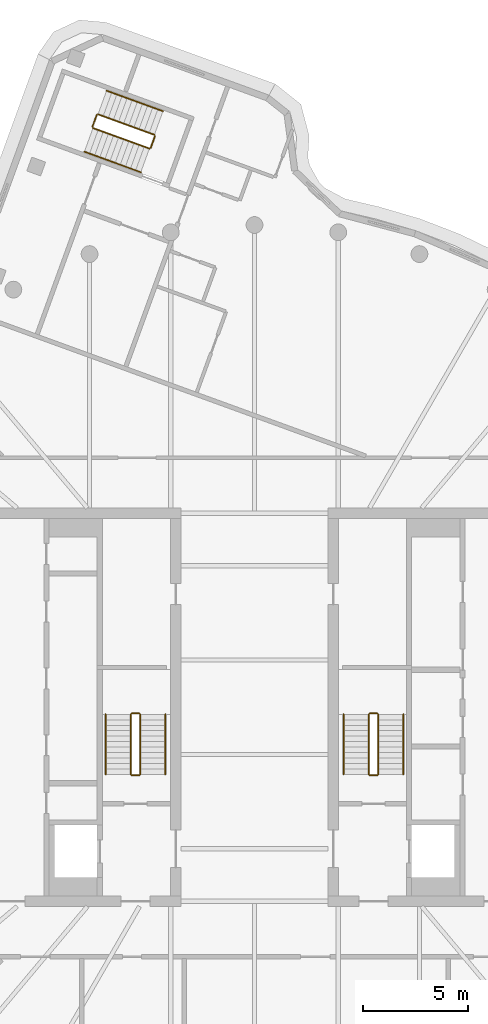
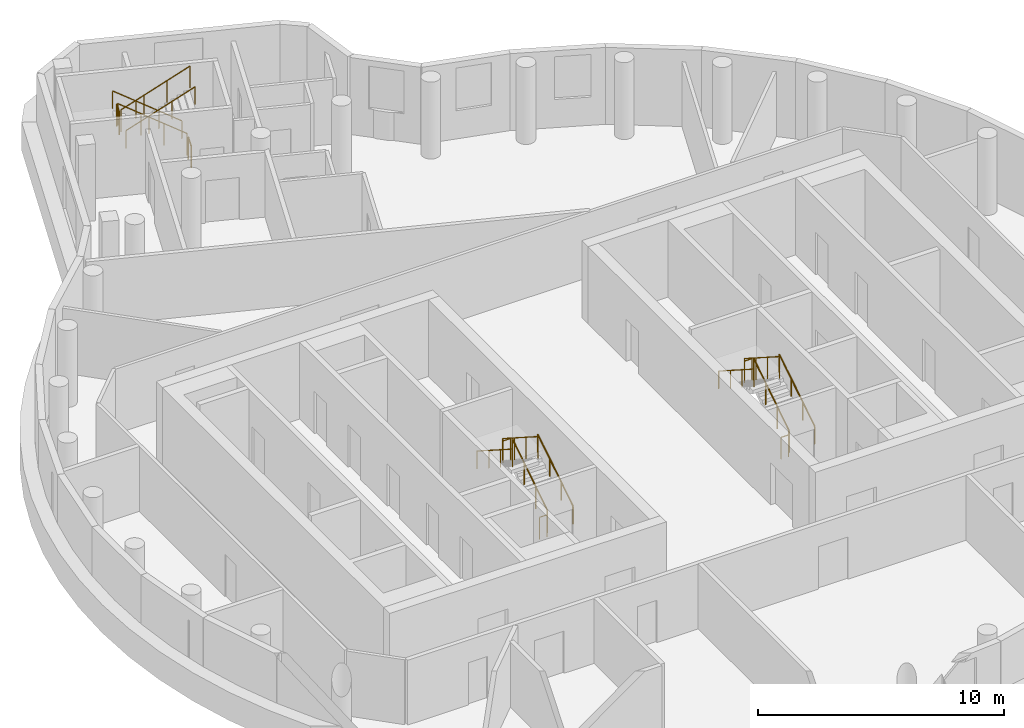
# One storey, part 7 of 7: 18 railings.
"""IFC4 building model written with IfcOpenShell, lengths in metres."""

from ifc_helpers import new_model, si_unit, direction, frame, origin, origin_2d, place, context, subcontext, project, spatial, circle, extrude, material, type_object, element, save


model = new_model("IFC4")

# Units and contexts
model_context = context("Model", 3, precision=1e-05, world=origin(), true_north=direction((0.0, 1.0)))
body_context = subcontext(model_context, "Body", "Model", "MODEL_VIEW")
ifc_project = project(units=[si_unit("LENGTHUNIT", "METRE"), si_unit("AREAUNIT", "SQUARE_METRE"), si_unit("VOLUMEUNIT", "CUBIC_METRE"), si_unit("PLANEANGLEUNIT", "RADIAN"), si_unit("MASSUNIT", "GRAM", prefix="KILO")], contexts=[model_context])

# Site, building, storey
site_placement = place(None, origin())
site = spatial("IfcSite", under=ifc_project, at=site_placement, CompositionType="ELEMENT")
building_placement = place(site_placement, origin())
building = spatial("IfcBuilding", under=site, at=building_placement, Name="Tamarind Cross Interchange Tower", CompositionType="ELEMENT")
storey_placement = place(building_placement, frame((0.0, 0.0, 317.39990234375)))
storey = spatial("IfcBuildingStorey", under=building, at=storey_placement, Name="L78", CompositionType="ELEMENT", Elevation=317.39990234375)

# Railings
ifc_material_1 = material(Name="Stair guard")
railing_type_1 = type_object("IfcRailingType", Name="Stair guard", PredefinedType="GUARDRAIL", material=ifc_material_1)
railing_1_placement = place(storey_placement, frame((-5.449951171875, -3.199951171875, 0.166748046875)))
element("IfcRailing", 1, at=railing_1_placement, inside=storey, type_object=railing_type_1, Name="L78 ST1 stair guard 1", PredefinedType="GUARDRAIL", context=body_context, shape_type="SweptSolid", body=[
    extrude(circle(Radius=0.02392578125, at=origin_2d()), frame((0.0, 0.0, 1.076171875), z_axis=(0.0, 0.841878301714, 0.539667420827), x_axis=(-1.0, 0.0, 0.0)), (0.0, 0.0, 1.0), 3.39697265625),
    extrude(circle(Radius=0.02099609375, at=origin_2d()), origin(), (0.0, 0.0, 1.0), 1.052001953125),
    extrude(circle(Radius=0.02099609375, at=origin_2d()), frame((0.0, 0.953369140625, 0.611083984375)), (0.0, 0.0, 1.0), 1.052001953125),
    extrude(circle(Radius=0.02099609375, at=origin_2d()), frame((0.0, 1.906494140625, 1.22216796875)), (0.0, 0.0, 1.0), 1.052001953125),
    extrude(circle(Radius=0.02099609375, at=origin_2d()), frame((0.0, 2.85986328125, 1.833251953125)), (0.0, 0.0, 1.0), 1.052001953125),
])
railing_2_placement = place(storey_placement, frame((-5.5, -0.2900390625, 2.0)))
element("IfcRailing", 2, at=railing_2_placement, inside=storey, type_object=railing_type_1, Name="L78 ST1 stair guard 2", PredefinedType="GUARDRAIL", context=body_context, shape_type="SweptSolid", body=[
    extrude(circle(Radius=0.02392578125, at=origin_2d()), frame((0.0, 0.0, 1.076171875), z_axis=(-1.0, 0.0, 0.0), x_axis=(0.0, -1.0, 0.0)), (0.0, 0.0, 1.0), 0.35009765625),
    extrude(circle(Radius=0.02099609375, at=origin_2d()), origin(), (0.0, 0.0, 1.0), 1.052001953125),
    extrude(circle(Radius=0.02099609375, at=origin_2d()), frame((-0.35009765625, 0.0, 0.0)), (0.0, 0.0, 1.0), 1.052001953125),
])
railing_3_placement = place(storey_placement, frame((-5.89990234375, -0.340087890625, 2.166748046875)))
element("IfcRailing", 3, at=railing_3_placement, inside=storey, type_object=railing_type_1, Name="L78 ST1 stair guard 3", PredefinedType="GUARDRAIL", context=body_context, shape_type="SweptSolid", body=[
    extrude(circle(Radius=0.02392578125, at=origin_2d()), frame((0.0, 0.0, 1.076171875), z_axis=(0.0, -0.841878301714, 0.539667420827), x_axis=(1.0, 0.0, 0.0)), (0.0, 0.0, 1.0), 3.39697265625),
    extrude(circle(Radius=0.02099609375, at=origin_2d()), origin(), (0.0, 0.0, 1.0), 1.052001953125),
    extrude(circle(Radius=0.02099609375, at=origin_2d()), frame((0.0, -0.953369140625, 0.611083984375)), (0.0, 0.0, 1.0), 1.052001953125),
    extrude(circle(Radius=0.02099609375, at=origin_2d()), frame((0.0, -1.906494140625, 1.22216796875)), (0.0, 0.0, 1.0), 1.052001953125),
    extrude(circle(Radius=0.02099609375, at=origin_2d()), frame((0.0, -2.85986328125, 1.833251953125)), (0.0, 0.0, 1.0), 1.052001953125),
])
railing_4_placement = place(storey_placement, frame((-5.5, -3.25, 0.0)))
element("IfcRailing", 4, at=railing_4_placement, inside=storey, type_object=railing_type_1, Name="L78 ST1 stair guard 4", PredefinedType="GUARDRAIL", context=body_context, shape_type="SweptSolid", body=[
    extrude(circle(Radius=0.02392578125, at=origin_2d()), frame((0.0, 0.0, 1.076171875), z_axis=(-1.0, 0.0, 0.0), x_axis=(0.0, -1.0, 0.0)), (0.0, 0.0, 1.0), 0.35009765625),
    extrude(circle(Radius=0.02099609375, at=origin_2d()), origin(), (0.0, 0.0, 1.0), 1.052001953125),
    extrude(circle(Radius=0.02099609375, at=origin_2d()), frame((-0.35009765625, 0.0, 0.0)), (0.0, 0.0, 1.0), 1.052001953125),
])
railing_5_placement = place(storey_placement, frame((5.89990234375, -3.199951171875, 0.166748046875)))
element("IfcRailing", 5, at=railing_5_placement, inside=storey, type_object=railing_type_1, Name="L78 ST2 stair guard 1", PredefinedType="GUARDRAIL", context=body_context, shape_type="SweptSolid", body=[
    extrude(circle(Radius=0.02392578125, at=origin_2d()), frame((0.0, 0.0, 1.076171875), z_axis=(0.0, 0.841878301714, 0.539667420827), x_axis=(-1.0, 0.0, 0.0)), (0.0, 0.0, 1.0), 3.39697265625),
    extrude(circle(Radius=0.02099609375, at=origin_2d()), origin(), (0.0, 0.0, 1.0), 1.052001953125),
    extrude(circle(Radius=0.02099609375, at=origin_2d()), frame((0.0, 0.953369140625, 0.611083984375)), (0.0, 0.0, 1.0), 1.052001953125),
    extrude(circle(Radius=0.02099609375, at=origin_2d()), frame((0.0, 1.906494140625, 1.22216796875)), (0.0, 0.0, 1.0), 1.052001953125),
    extrude(circle(Radius=0.02099609375, at=origin_2d()), frame((0.0, 2.85986328125, 1.833251953125)), (0.0, 0.0, 1.0), 1.052001953125),
])
railing_6_placement = place(storey_placement, frame((5.85009765625, -0.2900390625, 2.0)))
element("IfcRailing", 6, at=railing_6_placement, inside=storey, type_object=railing_type_1, Name="L78 ST2 stair guard 2", PredefinedType="GUARDRAIL", context=body_context, shape_type="SweptSolid", body=[
    extrude(circle(Radius=0.02392578125, at=origin_2d()), frame((0.0, 0.0, 1.076171875), z_axis=(-1.0, 0.0, 0.0), x_axis=(0.0, -1.0, 0.0)), (0.0, 0.0, 1.0), 0.35009765625),
    extrude(circle(Radius=0.02099609375, at=origin_2d()), origin(), (0.0, 0.0, 1.0), 1.052001953125),
    extrude(circle(Radius=0.02099609375, at=origin_2d()), frame((-0.35009765625, 0.0, 0.0)), (0.0, 0.0, 1.0), 1.052001953125),
])
railing_7_placement = place(storey_placement, frame((5.449951171875, -0.340087890625, 2.166748046875)))
element("IfcRailing", 7, at=railing_7_placement, inside=storey, type_object=railing_type_1, Name="L78 ST2 stair guard 3", PredefinedType="GUARDRAIL", context=body_context, shape_type="SweptSolid", body=[
    extrude(circle(Radius=0.02392578125, at=origin_2d()), frame((0.0, 0.0, 1.076171875), z_axis=(0.0, -0.841878301714, 0.539667420827), x_axis=(1.0, 0.0, 0.0)), (0.0, 0.0, 1.0), 3.39697265625),
    extrude(circle(Radius=0.02099609375, at=origin_2d()), origin(), (0.0, 0.0, 1.0), 1.052001953125),
    extrude(circle(Radius=0.02099609375, at=origin_2d()), frame((0.0, -0.953369140625, 0.611083984375)), (0.0, 0.0, 1.0), 1.052001953125),
    extrude(circle(Radius=0.02099609375, at=origin_2d()), frame((0.0, -1.906494140625, 1.22216796875)), (0.0, 0.0, 1.0), 1.052001953125),
    extrude(circle(Radius=0.02099609375, at=origin_2d()), frame((0.0, -2.85986328125, 1.833251953125)), (0.0, 0.0, 1.0), 1.052001953125),
])
railing_8_placement = place(storey_placement, frame((5.85009765625, -3.25, 0.0)))
element("IfcRailing", 8, at=railing_8_placement, inside=storey, type_object=railing_type_1, Name="L78 ST2 stair guard 4", PredefinedType="GUARDRAIL", context=body_context, shape_type="SweptSolid", body=[
    extrude(circle(Radius=0.02392578125, at=origin_2d()), frame((0.0, 0.0, 1.076171875), z_axis=(-1.0, 0.0, 0.0), x_axis=(0.0, -1.0, 0.0)), (0.0, 0.0, 1.0), 0.35009765625),
    extrude(circle(Radius=0.02099609375, at=origin_2d()), origin(), (0.0, 0.0, 1.0), 1.052001953125),
    extrude(circle(Radius=0.02099609375, at=origin_2d()), frame((-0.35009765625, 0.0, 0.0)), (0.0, 0.0, 1.0), 1.052001953125),
])
railing_9_placement = place(storey_placement, frame((-4.7744140625, 27.302490234375, 0.166748046875)))
element("IfcRailing", 9, at=railing_9_placement, inside=storey, type_object=railing_type_1, Name="L78 ST4 stair guard 1", PredefinedType="GUARDRAIL", context=body_context, shape_type="SweptSolid", body=[
    extrude(circle(Radius=0.02392578125, at=origin_2d()), frame((0.0, 0.0, 1.076171875), z_axis=(-0.791109245406, 0.287970089602, 0.539647467638), x_axis=(-0.342051474784, -0.939681216476, 0.0)), (0.0, 0.0, 1.0), 3.397216796875),
    extrude(circle(Radius=0.02099609375, at=origin_2d()), origin(), (0.0, 0.0, 1.0), 1.052001953125),
    extrude(circle(Radius=0.02099609375, at=origin_2d()), frame((-0.895751953125, 0.326171875, 0.611083984375)), (0.0, 0.0, 1.0), 1.052001953125),
    extrude(circle(Radius=0.02099609375, at=origin_2d()), frame((-1.791748046875, 0.652099609375, 1.22216796875)), (0.0, 0.0, 1.0), 1.052001953125),
    extrude(circle(Radius=0.02099609375, at=origin_2d()), frame((-2.6875, 0.978271484375, 1.833251953125)), (0.0, 0.0, 1.0), 1.052001953125),
])
railing_10_placement = place(storey_placement, frame((-7.526123046875, 28.250732421875, 2.0)))
element("IfcRailing", 10, at=railing_10_placement, inside=storey, type_object=railing_type_1, Name="L78 ST4 stair guard 2", PredefinedType="GUARDRAIL", context=body_context, shape_type="SweptSolid", body=[
    extrude(circle(Radius=0.02392578125, at=origin_2d()), frame((0.0, 0.0, 1.076171875), z_axis=(-0.341873772729, -0.939745882417, 0.0), x_axis=(0.939745882417, -0.341873772729, 0.0)), (0.0, 0.0, 1.0), 0.599853515625),
    extrude(circle(Radius=0.02099609375, at=origin_2d()), origin(), (0.0, 0.0, 1.0), 1.052001953125),
    extrude(circle(Radius=0.02099609375, at=origin_2d()), frame((-0.205078125, -0.563720703125, 0.0)), (0.0, 0.0, 1.0), 1.052001953125),
])
railing_11_placement = place(storey_placement, frame((-7.701416015625, 27.622802734375, 2.166748046875)))
element("IfcRailing", 11, at=railing_11_placement, inside=storey, type_object=railing_type_1, Name="L78 ST4 stair guard 3", PredefinedType="GUARDRAIL", context=body_context, shape_type="SweptSolid", body=[
    extrude(circle(Radius=0.02392578125, at=origin_2d()), frame((0.0, 0.0, 1.076171875), z_axis=(0.791125616254, -0.287904180479, 0.539658634852), x_axis=(0.34197609546, 0.939708651729, 0.0)), (0.0, 0.0, 1.0), 3.39697265625),
    extrude(circle(Radius=0.02099609375, at=origin_2d()), origin(), (0.0, 0.0, 1.0), 1.052001953125),
    extrude(circle(Radius=0.02099609375, at=origin_2d()), frame((0.895751953125, -0.325927734375, 0.611083984375)), (0.0, 0.0, 1.0), 1.052001953125),
    extrude(circle(Radius=0.02099609375, at=origin_2d()), frame((1.791748046875, -0.652099609375, 1.22216796875)), (0.0, 0.0, 1.0), 1.052001953125),
    extrude(circle(Radius=0.02099609375, at=origin_2d()), frame((2.6875, -0.97802734375, 1.833251953125)), (0.0, 0.0, 1.0), 1.052001953125),
])
railing_12_placement = place(storey_placement, frame((-4.74462890625, 27.238525390625, 0.0)))
element("IfcRailing", 12, at=railing_12_placement, inside=storey, type_object=railing_type_1, Name="L78 ST4 stair guard 4", PredefinedType="GUARDRAIL", context=body_context, shape_type="SweptSolid", body=[
    extrude(circle(Radius=0.02392578125, at=origin_2d()), frame((0.0, 0.0, 1.076171875), z_axis=(-0.341743063087, -0.939793423488, 0.0), x_axis=(0.939793423488, -0.341743063087, 0.0)), (0.0, 0.0, 1.0), 0.60009765625),
    extrude(circle(Radius=0.02099609375, at=origin_2d()), origin(), (0.0, 0.0, 1.0), 1.052001953125),
    extrude(circle(Radius=0.02099609375, at=origin_2d()), frame((-0.205078125, -0.56396484375, 0.0)), (0.0, 0.0, 1.0), 1.052001953125),
])
ifc_material_2 = material(Name="Stair handrail")
railing_type_2 = type_object("IfcRailingType", Name="Stair handrail", PredefinedType="HANDRAIL", material=ifc_material_2)
railing_13_placement = place(storey_placement, frame((-4.25, -3.199951171875, 0.166748046875)))
element("IfcRailing", 13, at=railing_13_placement, inside=storey, type_object=railing_type_2, Name="L78 ST1 stair handrail 1", PredefinedType="HANDRAIL", context=body_context, shape_type="SweptSolid", body=[
    extrude(circle(Radius=0.02392578125, at=origin_2d()), frame((0.0, 0.0, 0.8759765625), z_axis=(0.0, 0.841878301714, 0.539667420827), x_axis=(-1.0, 0.0, 0.0)), (0.0, 0.0, 1.0), 3.39697265625),
    extrude(circle(Radius=0.02099609375, at=origin_2d()), origin(), (0.0, 0.0, 1.0), 0.851806640625),
    extrude(circle(Radius=0.02099609375, at=origin_2d()), frame((0.0, 0.953369140625, 0.611083984375)), (0.0, 0.0, 1.0), 0.851806640625),
    extrude(circle(Radius=0.02099609375, at=origin_2d()), frame((0.0, 1.906494140625, 1.22216796875)), (0.0, 0.0, 1.0), 0.851806640625),
    extrude(circle(Radius=0.02099609375, at=origin_2d()), frame((0.0, 2.85986328125, 1.833251953125)), (0.0, 0.0, 1.0), 0.851806640625),
])
railing_14_placement = place(storey_placement, frame((-7.10009765625, -0.340087890625, 2.166748046875)))
element("IfcRailing", 14, at=railing_14_placement, inside=storey, type_object=railing_type_2, Name="L78 ST1 stair handrail 2", PredefinedType="HANDRAIL", context=body_context, shape_type="SweptSolid", body=[
    extrude(circle(Radius=0.02392578125, at=origin_2d()), frame((0.0, 0.0, 0.8759765625), z_axis=(0.0, -0.841878301714, 0.539667420827), x_axis=(1.0, 0.0, 0.0)), (0.0, 0.0, 1.0), 3.39697265625),
    extrude(circle(Radius=0.02099609375, at=origin_2d()), origin(), (0.0, 0.0, 1.0), 0.851806640625),
    extrude(circle(Radius=0.02099609375, at=origin_2d()), frame((0.0, -0.953369140625, 0.611083984375)), (0.0, 0.0, 1.0), 0.851806640625),
    extrude(circle(Radius=0.02099609375, at=origin_2d()), frame((0.0, -1.906494140625, 1.22216796875)), (0.0, 0.0, 1.0), 0.851806640625),
    extrude(circle(Radius=0.02099609375, at=origin_2d()), frame((0.0, -2.85986328125, 1.833251953125)), (0.0, 0.0, 1.0), 0.851806640625),
])
railing_15_placement = place(storey_placement, frame((7.10009765625, -3.199951171875, 0.166748046875)))
element("IfcRailing", 15, at=railing_15_placement, inside=storey, type_object=railing_type_2, Name="L78 ST2 stair handrail 1", PredefinedType="HANDRAIL", context=body_context, shape_type="SweptSolid", body=[
    extrude(circle(Radius=0.02392578125, at=origin_2d()), frame((0.0, 0.0, 0.8759765625), z_axis=(0.0, 0.841878301714, 0.539667420827), x_axis=(-1.0, 0.0, 0.0)), (0.0, 0.0, 1.0), 3.39697265625),
    extrude(circle(Radius=0.02099609375, at=origin_2d()), origin(), (0.0, 0.0, 1.0), 0.851806640625),
    extrude(circle(Radius=0.02099609375, at=origin_2d()), frame((0.0, 0.953369140625, 0.611083984375)), (0.0, 0.0, 1.0), 0.851806640625),
    extrude(circle(Radius=0.02099609375, at=origin_2d()), frame((0.0, 1.906494140625, 1.22216796875)), (0.0, 0.0, 1.0), 0.851806640625),
    extrude(circle(Radius=0.02099609375, at=origin_2d()), frame((0.0, 2.85986328125, 1.833251953125)), (0.0, 0.0, 1.0), 0.851806640625),
])
railing_16_placement = place(storey_placement, frame((4.25, -0.340087890625, 2.166748046875)))
element("IfcRailing", 16, at=railing_16_placement, inside=storey, type_object=railing_type_2, Name="L78 ST2 stair handrail 2", PredefinedType="HANDRAIL", context=body_context, shape_type="SweptSolid", body=[
    extrude(circle(Radius=0.02392578125, at=origin_2d()), frame((0.0, 0.0, 0.8759765625), z_axis=(0.0, -0.841878301714, 0.539667420827), x_axis=(1.0, 0.0, 0.0)), (0.0, 0.0, 1.0), 3.39697265625),
    extrude(circle(Radius=0.02099609375, at=origin_2d()), origin(), (0.0, 0.0, 1.0), 0.851806640625),
    extrude(circle(Radius=0.02099609375, at=origin_2d()), frame((0.0, -0.953369140625, 0.611083984375)), (0.0, 0.0, 1.0), 0.851806640625),
    extrude(circle(Radius=0.02099609375, at=origin_2d()), frame((0.0, -1.906494140625, 1.22216796875)), (0.0, 0.0, 1.0), 0.851806640625),
    extrude(circle(Radius=0.02099609375, at=origin_2d()), frame((0.0, -2.85986328125, 1.833251953125)), (0.0, 0.0, 1.0), 0.851806640625),
])
railing_17_placement = place(storey_placement, frame((-4.364013671875, 28.43017578125, 0.166748046875)))
element("IfcRailing", 17, at=railing_17_placement, inside=storey, type_object=railing_type_2, Name="L78 ST4 stair handrail 1", PredefinedType="HANDRAIL", context=body_context, shape_type="SweptSolid", body=[
    extrude(circle(Radius=0.02392578125, at=origin_2d()), frame((0.0, 0.0, 0.8759765625), z_axis=(-0.791125616254, 0.287904180479, 0.539658634852), x_axis=(-0.34197609546, -0.939708651729, 0.0)), (0.0, 0.0, 1.0), 3.39697265625),
    extrude(circle(Radius=0.02099609375, at=origin_2d()), origin(), (0.0, 0.0, 1.0), 0.851806640625),
    extrude(circle(Radius=0.02099609375, at=origin_2d()), frame((-0.895751953125, 0.325927734375, 0.611083984375)), (0.0, 0.0, 1.0), 0.851806640625),
    extrude(circle(Radius=0.02099609375, at=origin_2d()), frame((-1.791748046875, 0.652099609375, 1.22216796875)), (0.0, 0.0, 1.0), 0.851806640625),
    extrude(circle(Radius=0.02099609375, at=origin_2d()), frame((-2.6875, 0.97802734375, 1.833251953125)), (0.0, 0.0, 1.0), 0.851806640625),
])
railing_18_placement = place(storey_placement, frame((-8.11181640625, 26.4951171875, 2.166748046875)))
element("IfcRailing", 18, at=railing_18_placement, inside=storey, type_object=railing_type_2, Name="L78 ST4 stair handrail 2", PredefinedType="HANDRAIL", context=body_context, shape_type="SweptSolid", body=[
    extrude(circle(Radius=0.02392578125, at=origin_2d()), frame((0.0, 0.0, 0.8759765625), z_axis=(0.791125616254, -0.287904180479, 0.539658634852), x_axis=(0.34197609546, 0.939708651729, 0.0)), (0.0, 0.0, 1.0), 3.39697265625),
    extrude(circle(Radius=0.02099609375, at=origin_2d()), origin(), (0.0, 0.0, 1.0), 0.851806640625),
    extrude(circle(Radius=0.02099609375, at=origin_2d()), frame((0.895751953125, -0.325927734375, 0.611083984375)), (0.0, 0.0, 1.0), 0.851806640625),
    extrude(circle(Radius=0.02099609375, at=origin_2d()), frame((1.791748046875, -0.652099609375, 1.22216796875)), (0.0, 0.0, 1.0), 0.851806640625),
    extrude(circle(Radius=0.02099609375, at=origin_2d()), frame((2.6875, -0.97802734375, 1.833251953125)), (0.0, 0.0, 1.0), 0.851806640625),
])

save(model, "model.ifc")
